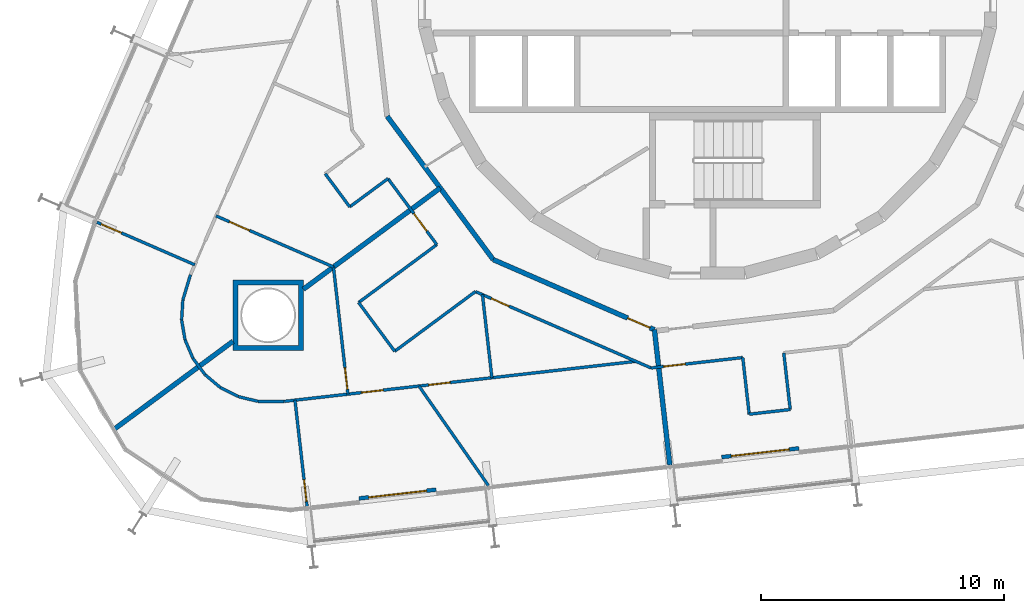
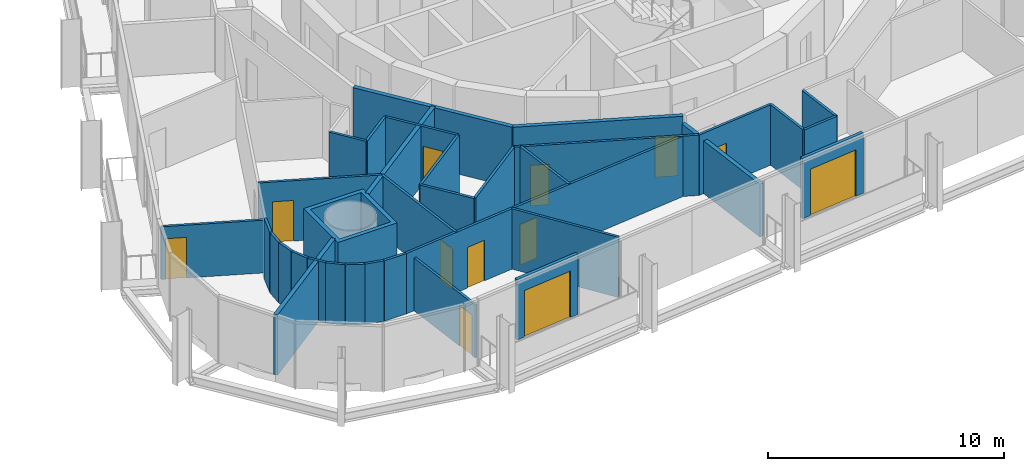
# One storey, part 16 of 24: 35 walls, 12 doors, 12 openings.
"""IFC4 building model written with IfcOpenShell, lengths in metres."""

from ifc_helpers import new_model, si_unit, direction, frame, frame_2d, origin, place, context, subcontext, project, spatial, polyline, rectangle, outline, extrude, material, layer, layer_set, type_object, element, fill, save


model = new_model("IFC4")

# Units and contexts
model_context = context("Model", 3, precision=1e-05, world=origin(), true_north=direction((0.0, 1.0)))
body_context = subcontext(model_context, "Body", "Model", "MODEL_VIEW")
ifc_project = project(units=[si_unit("LENGTHUNIT", "METRE"), si_unit("AREAUNIT", "SQUARE_METRE"), si_unit("VOLUMEUNIT", "CUBIC_METRE"), si_unit("PLANEANGLEUNIT", "RADIAN"), si_unit("MASSUNIT", "GRAM", prefix="KILO")], contexts=[model_context])

# Site, building, storey
site_placement = place(None, origin())
site = spatial("IfcSite", under=ifc_project, at=site_placement, CompositionType="ELEMENT")
building_placement = place(site_placement, origin())
building = spatial("IfcBuilding", under=site, at=building_placement, Name="Spindle Arch Residences", CompositionType="ELEMENT")
storey_placement = place(building_placement, frame((0.0, 0.0, 101.199951171875)))
storey = spatial("IfcBuildingStorey", under=building, at=storey_placement, Name="L24", CompositionType="ELEMENT", Elevation=101.199951171875)

# Wall
ifc_material_1 = material(Name="Calcium silicate block, plastered")
ifc_layer_1 = layer(ifc_material_1, 0.199951171875)
ifc_layer_set_1 = layer_set([ifc_layer_1], Name="Corridor wall 200")
wall_type_1 = type_object("IfcWallType", Name="Corridor wall 200", PredefinedType="STANDARD", material=ifc_layer_set_1)
wall_1_placement = place(storey_placement, frame((-13.1962890625, -5.1982421875, 0.0), z_axis=(0.0, 0.0, 1.0), x_axis=(0.594805187394, -0.803869883159, 0.0)))
element("IfcWall", 1, at=wall_1_placement, inside=storey, type_object=wall_type_1, Name="Corridor wall R2C1-W012", PredefinedType="STANDARD", context=body_context, shape_type="SweptSolid", body=[
    extrude(rectangle(XDim=7.341796875, YDim=0.199951171875, at=frame_2d((3.6708984375, 0.0))), origin(), (0.0, 0.0, 1.0), 3.1201171875),
])

# Wall, opening, door
wall_2_placement = place(storey_placement, frame((-8.829345703125, -11.10009765625, 0.0), z_axis=(0.0, 0.0, 1.0), x_axis=(0.917063622491, -0.398740908742, 0.0)))
wall_2 = element("IfcWall", 2, at=wall_2_placement, inside=storey, type_object=wall_type_1, Name="Corridor wall R2C1-W013", PredefinedType="STANDARD", context=body_context, shape_type="SweptSolid", body=[
    extrude(rectangle(XDim=7.239501953125, YDim=0.199951171875, at=frame_2d((3.61962890625, 0.0))), origin(), (0.0, 0.0, 1.0), 3.1201171875),
])
opening_1_placement = place(wall_2_placement, frame((6.03955078125, 0.0, 0.0)))
opening_1 = element("IfcOpeningElement", 3, at=opening_1_placement, cuts=wall_2, Name="Opening R2C1-FD05", PredefinedType="OPENING", context=body_context, shape_type="SweptSolid", body=[
    extrude(rectangle(XDim=1.0, YDim=2.10009765625, at=frame_2d((0.5, 1.050048828125))), frame((0.0, 0.10986328125, 0.0), z_axis=(0.0, -1.0, 0.0), x_axis=(1.0, 0.0, 0.0)), (0.0, 0.0, 1.0), 0.219970703125),
])
ifc_material_2 = material(Name="Timber, fire-resisting door set", Category="wood")
door_type_1 = type_object("IfcDoorType", Name="Flat entrance door 1000x2100", OperationType="NOTDEFINED", PredefinedType="DOOR", material=ifc_material_2)
door_1_placement = place(opening_1_placement, origin())
door_1 = element("IfcDoor", 4, at=door_1_placement, inside=storey, type_object=door_type_1, Name="Flat entrance door R2C1-FD05", OperationType="SINGLE_SWING_LEFT", OverallHeight=2.10009765625, OverallWidth=1.0, PredefinedType="DOOR", context=body_context, shape_type="SweptSolid", body=[
    extrude(rectangle(XDim=1.0, YDim=2.10009765625, at=frame_2d((0.5, 1.050048828125))), frame((0.0, 0.02490234375, 0.0), z_axis=(0.0, -1.0, 0.0), x_axis=(1.0, 0.0, 0.0)), (0.0, 0.0, 1.0), 0.050048828125),
])
fill(opening_1, door_1)

# Walls
ifc_material_3 = material(Name="Plasterboard on steel studs", Category="steel")
ifc_layer_2 = layer(ifc_material_3, 0.1201171875)
ifc_layer_set_2 = layer_set([ifc_layer_2], Name="Flat partition 120")
wall_type_2 = type_object("IfcWallType", Name="Flat partition 120", PredefinedType="PARTITIONING", material=ifc_layer_set_2)
wall_3_placement = place(storey_placement, frame((-15.75, -7.562255859375, 0.0), z_axis=(0.0, 0.0, 1.0), x_axis=(0.594863421241, -0.803826791087, 0.0)))
element("IfcWall", 5, at=wall_3_placement, inside=storey, type_object=wall_type_2, Name="Flat partition R2C1-W086", PredefinedType="PARTITIONING", context=body_context, shape_type="SweptSolid", body=[
    extrude(rectangle(XDim=1.699951171875, YDim=0.1201171875, at=frame_2d((0.85009765625, 0.0))), origin(), (0.0, 0.0, 1.0), 3.1201171875),
])
wall_4_placement = place(storey_placement, frame((-14.73876953125, -8.9287109375, 0.0), z_axis=(0.0, 0.0, 1.0), x_axis=(0.803901491033, 0.594762467474, 0.0)))
element("IfcWall", 6, at=wall_4_placement, inside=storey, type_object=wall_type_2, Name="Flat partition R2C1-W087", PredefinedType="PARTITIONING", context=body_context, shape_type="SweptSolid", body=[
    extrude(rectangle(XDim=1.958740234375, YDim=0.1201171875, at=frame_2d((0.9794921875, 0.0))), origin(), (0.0, 0.0, 1.0), 3.1201171875),
])

# Wall, opening, door
wall_5_placement = place(storey_placement, frame((-13.1640625, -7.763671875, 0.0), z_axis=(0.0, 0.0, 1.0), x_axis=(0.594837409261, -0.803846040324, 0.0)))
wall_5 = element("IfcWall", 7, at=wall_5_placement, inside=storey, type_object=wall_type_2, Name="Flat partition R2C1-W088", PredefinedType="PARTITIONING", context=body_context, shape_type="SweptSolid", body=[
    extrude(rectangle(XDim=3.3828125, YDim=0.1201171875, at=frame_2d((1.69140625, 0.0))), origin(), (0.0, 0.0, 1.0), 3.1201171875),
])
opening_2_placement = place(wall_5_placement, frame((1.789306640625, 0.0, 0.0)))
opening_2 = element("IfcOpeningElement", 8, at=opening_2_placement, cuts=wall_5, Name="Opening R2C1-ID27", PredefinedType="OPENING", context=body_context, shape_type="SweptSolid", body=[
    extrude(rectangle(XDim=0.89990234375, YDim=2.10009765625, at=frame_2d((0.449951171875, 1.050048828125))), frame((0.0, 0.070068359375, 0.0), z_axis=(0.0, -1.0, 0.0), x_axis=(1.0, 0.0, 0.0)), (0.0, 0.0, 1.0), 0.14013671875),
])
ifc_material_4 = material(Name="Timber door set", Category="wood")
door_type_2 = type_object("IfcDoorType", Name="Room door 900x2100", OperationType="NOTDEFINED", PredefinedType="DOOR", material=ifc_material_4)
door_2_placement = place(opening_2_placement, origin())
door_2 = element("IfcDoor", 9, at=door_2_placement, inside=storey, type_object=door_type_2, Name="Room door R2C1-ID27", OperationType="SINGLE_SWING_LEFT", OverallHeight=2.10009765625, OverallWidth=0.89990234375, PredefinedType="DOOR", context=body_context, shape_type="SweptSolid", body=[
    extrude(rectangle(XDim=0.89990234375, YDim=2.10009765625, at=frame_2d((0.449951171875, 1.050048828125))), frame((0.0, 0.02490234375, 0.0), z_axis=(0.0, -1.0, 0.0), x_axis=(1.0, 0.0, 0.0)), (0.0, 0.0, 1.0), 0.050048828125),
])
fill(opening_2, door_2)

wall_6_placement = place(storey_placement, frame((-20.2451171875, -9.30029296875, 0.0), z_axis=(0.0, 0.0, 1.0), x_axis=(0.91706784774, -0.398731190956, 0.0)))
wall_6 = element("IfcWall", 10, at=wall_6_placement, inside=storey, type_object=wall_type_2, Name="Flat partition R2C1-W093", PredefinedType="PARTITIONING", context=body_context, shape_type="SweptSolid", body=[
    extrude(rectangle(XDim=5.2724609375, YDim=0.1201171875, at=frame_2d((2.63623046875, 0.0))), origin(), (0.0, 0.0, 1.0), 3.1201171875),
])
opening_3_placement = place(wall_6_placement, frame((0.60009765625, 0.0, 0.0)))
opening_3 = element("IfcOpeningElement", 11, at=opening_3_placement, cuts=wall_6, Name="Opening R2C1-ID23", PredefinedType="OPENING", context=body_context, shape_type="SweptSolid", body=[
    extrude(rectangle(XDim=0.89990234375, YDim=2.10009765625, at=frame_2d((0.449951171875, 1.050048828125))), frame((0.0, 0.070068359375, 0.0), z_axis=(0.0, -1.0, 0.0), x_axis=(1.0, 0.0, 0.0)), (0.0, 0.0, 1.0), 0.14013671875),
])
door_3_placement = place(opening_3_placement, origin())
door_3 = element("IfcDoor", 12, at=door_3_placement, inside=storey, type_object=door_type_2, Name="Room door R2C1-ID23", OperationType="SINGLE_SWING_RIGHT", OverallHeight=2.10009765625, OverallWidth=0.89990234375, PredefinedType="DOOR", context=body_context, shape_type="SweptSolid", body=[
    extrude(rectangle(XDim=0.89990234375, YDim=2.10009765625, at=frame_2d((0.449951171875, 1.050048828125))), frame((0.0, 0.02490234375, 0.0), z_axis=(0.0, -1.0, 0.0), x_axis=(1.0, 0.0, 0.0)), (0.0, 0.0, 1.0), 0.050048828125),
])
fill(opening_3, door_3)

# Walls
for number, where, z_axis, x_axis, name in (
    (13, (-20.702880859375, -15.834716796875, 0.0), (0.0, 0.0, 1.0), (-0.594755442796, 0.803906688158, 0.0), "Flat partition R2C1-W094"),
    (14, (-21.19580078125, -15.16845703125, 0.0), (0.0, 0.0, 1.0), (-0.393528213057, 0.919312539634, 0.0), "Flat partition R2C1-W095"),
):
    element("IfcWall", number, at=place(storey_placement, frame(where, z_axis=z_axis, x_axis=x_axis)), inside=storey, type_object=wall_type_2, Name=name, PredefinedType="PARTITIONING", context=body_context, shape_type="SweptSolid", body=[
        extrude(rectangle(XDim=0.828857421875, YDim=0.1201171875, at=frame_2d((0.41455078125, 0.0))), origin(), (0.0, 0.0, 1.0), 3.1201171875),
    ])
wall_7_placement = place(storey_placement, frame((-21.52197265625, -14.406494140625, 0.0), z_axis=(0.0, 0.0, 1.0), x_axis=(-0.170794347099, 0.985306698952, 0.0)))
element("IfcWall", 15, at=wall_7_placement, inside=storey, type_object=wall_type_2, Name="Flat partition R2C1-W096", PredefinedType="PARTITIONING", context=body_context, shape_type="SweptSolid", body=[
    extrude(rectangle(XDim=0.8291015625, YDim=0.1201171875, at=frame_2d((0.41455078125, 0.0))), origin(), (0.0, 0.0, 1.0), 3.1201171875),
])
wall_8_placement = place(storey_placement, frame((-21.66357421875, -13.589599609375, 0.0), z_axis=(0.0, 0.0, 1.0), x_axis=(0.061277779288, 0.998120751095, 0.0)))
element("IfcWall", 16, at=wall_8_placement, inside=storey, type_object=wall_type_2, Name="Flat partition R2C1-W097", PredefinedType="PARTITIONING", context=body_context, shape_type="SweptSolid", body=[
    extrude(rectangle(XDim=0.82861328125, YDim=0.1201171875, at=frame_2d((0.414306640625, 0.0))), origin(), (0.0, 0.0, 1.0), 3.1201171875),
])
wall_9_placement = place(storey_placement, frame((-21.61279296875, -12.762451171875, 0.0), z_axis=(0.0, 0.0, 1.0), x_axis=(0.289552239308, 0.95716221233, 0.0)))
element("IfcWall", 17, at=wall_9_placement, inside=storey, type_object=wall_type_2, Name="Flat partition R2C1-W098", PredefinedType="PARTITIONING", context=body_context, shape_type="SweptSolid", body=[
    extrude(rectangle(XDim=1.0869140625, YDim=0.1201171875, at=frame_2d((0.54345703125, 0.0))), origin(), (0.0, 0.0, 1.0), 3.1201171875),
])
wall_10_placement = place(storey_placement, frame((-11.15185546875, -10.48291015625, 0.0), z_axis=(0.0, 0.0, 1.0), x_axis=(-0.803843064298, -0.594841430954, 0.0)))
element("IfcWall", 18, at=wall_10_placement, inside=storey, type_object=wall_type_2, Name="Flat partition R2C1-W099", PredefinedType="PARTITIONING", context=body_context, shape_type="SweptSolid", body=[
    extrude(rectangle(XDim=4.0078125, YDim=0.1201171875, at=frame_2d((2.00390625, 0.0))), origin(), (0.0, 0.0, 1.0), 3.1201171875),
])
wall_11_placement = place(storey_placement, frame((-14.37353515625, -12.866943359375, 0.0), z_axis=(0.0, 0.0, 1.0), x_axis=(0.594800097121, -0.803873649565, 0.0)))
element("IfcWall", 19, at=wall_11_placement, inside=storey, type_object=wall_type_2, Name="Flat partition R2C1-W100", PredefinedType="PARTITIONING", context=body_context, shape_type="SweptSolid", body=[
    extrude(rectangle(XDim=2.5, YDim=0.1201171875, at=frame_2d((1.25, 0.0))), origin(), (0.0, 0.0, 1.0), 3.1201171875),
])
wall_12_placement = place(storey_placement, frame((-12.886474609375, -14.876708984375, 0.0), z_axis=(0.0, 0.0, 1.0), x_axis=(0.803816491389, 0.594877338761, 0.0)))
element("IfcWall", 20, at=wall_12_placement, inside=storey, type_object=wall_type_2, Name="Flat partition R2C1-W101", PredefinedType="PARTITIONING", context=body_context, shape_type="SweptSolid", body=[
    extrude(rectangle(XDim=4.13525390625, YDim=0.1201171875, at=frame_2d((2.067626953125, 0.0))), origin(), (0.0, 0.0, 1.0), 3.1201171875),
])

# Wall, opening, door
wall_13_placement = place(storey_placement, frame((-9.5625, -12.416748046875, 0.0), z_axis=(0.0, 0.0, 1.0), x_axis=(0.917063169851, -0.398741949767, 0.0)))
wall_13 = element("IfcWall", 21, at=wall_13_placement, inside=storey, type_object=wall_type_2, Name="Flat partition R2C1-W102", PredefinedType="PARTITIONING", context=body_context, shape_type="SweptSolid", body=[
    extrude(rectangle(XDim=7.89111328125, YDim=0.1201171875, at=frame_2d((3.945556640625, 0.0))), origin(), (0.0, 0.0, 1.0), 3.1201171875),
])
opening_4_placement = place(wall_13_placement, frame((0.71484375, 0.0, 0.0)))
opening_4 = element("IfcOpeningElement", 22, at=opening_4_placement, cuts=wall_13, Name="Opening R2C1-BD05", PredefinedType="OPENING", context=body_context, shape_type="SweptSolid", body=[
    extrude(rectangle(XDim=0.800048828125, YDim=2.10009765625, at=frame_2d((0.39990234375, 1.050048828125))), frame((0.0, 0.070068359375, 0.0), z_axis=(0.0, -1.0, 0.0), x_axis=(1.0, 0.0, 0.0)), (0.0, 0.0, 1.0), 0.14013671875),
])
ifc_material_5 = material(Name="Timber door set", Category="wood")
door_type_3 = type_object("IfcDoorType", Name="Bathroom door 800x2100", OperationType="NOTDEFINED", PredefinedType="DOOR", material=ifc_material_5)
door_4_placement = place(opening_4_placement, origin())
door_4 = element("IfcDoor", 23, at=door_4_placement, inside=storey, type_object=door_type_3, Name="Bathroom door R2C1-BD05", OperationType="SINGLE_SWING_LEFT", OverallHeight=2.10009765625, OverallWidth=0.800048828125, PredefinedType="DOOR", context=body_context, shape_type="SweptSolid", body=[
    extrude(rectangle(XDim=0.800048828125, YDim=2.10009765625, at=frame_2d((0.39990234375, 1.050048828125))), frame((0.0, 0.02490234375, 0.0), z_axis=(0.0, -1.0, 0.0), x_axis=(1.0, 0.0, 0.0)), (0.0, 0.0, 1.0), 0.050048828125),
])
fill(opening_4, door_4)

wall_14_placement = place(storey_placement, frame((-2.325927734375, -15.563232421875, 0.0), z_axis=(0.0, 0.0, 1.0), x_axis=(0.993575068384, 0.113175012641, 0.0)))
wall_14 = element("IfcWall", 24, at=wall_14_placement, inside=storey, type_object=wall_type_2, Name="Flat partition R2C1-W103", PredefinedType="PARTITIONING", context=body_context, shape_type="SweptSolid", body=[
    extrude(rectangle(XDim=3.798828125, YDim=0.1201171875, at=frame_2d((1.8994140625, 0.0))), origin(), (0.0, 0.0, 1.0), 3.1201171875),
])
opening_5_placement = place(wall_14_placement, frame((0.513427734375, 0.0, 0.0)))
opening_5 = element("IfcOpeningElement", 25, at=opening_5_placement, cuts=wall_14, Name="Opening R2C1-ID32", PredefinedType="OPENING", context=body_context, shape_type="SweptSolid", body=[
    extrude(rectangle(XDim=0.89990234375, YDim=2.10009765625, at=frame_2d((0.449951171875, 1.050048828125))), frame((0.0, 0.070068359375, 0.0), z_axis=(0.0, -1.0, 0.0), x_axis=(1.0, 0.0, 0.0)), (0.0, 0.0, 1.0), 0.14013671875),
])
door_5_placement = place(opening_5_placement, origin())
door_5 = element("IfcDoor", 26, at=door_5_placement, inside=storey, type_object=door_type_2, Name="Room door R2C1-ID32", OperationType="SINGLE_SWING_LEFT", OverallHeight=2.10009765625, OverallWidth=0.89990234375, PredefinedType="DOOR", context=body_context, shape_type="SweptSolid", body=[
    extrude(rectangle(XDim=0.89990234375, YDim=2.10009765625, at=frame_2d((0.449951171875, 1.050048828125))), frame((0.0, 0.02490234375, 0.0), z_axis=(0.0, -1.0, 0.0), x_axis=(1.0, 0.0, 0.0)), (0.0, 0.0, 1.0), 0.050048828125),
])
fill(opening_5, door_5)

# Walls
for number, where, z_axis, x_axis, name in (
    (27, (-20.702880859375, -15.834716796875, 0.0), (0.0, 0.0, 1.0), (0.764223440539, -0.644951574097, 0.0), "Flat partition R2C1-W104"),
    (28, (-20.0693359375, -16.369384765625, 0.0), (0.0, 0.0, 1.0), (0.89229682893, -0.451449187706, 0.0), "Flat partition R2C1-W105"),
):
    element("IfcWall", number, at=place(storey_placement, frame(where, z_axis=z_axis, x_axis=x_axis)), inside=storey, type_object=wall_type_2, Name=name, PredefinedType="PARTITIONING", context=body_context, shape_type="SweptSolid", body=[
        extrude(rectangle(XDim=0.8291015625, YDim=0.1201171875, at=frame_2d((0.41455078125, 0.0))), origin(), (0.0, 0.0, 1.0), 3.1201171875),
    ])
wall_15_placement = place(storey_placement, frame((-19.32958984375, -16.74365234375, 0.0), z_axis=(0.0, 0.0, 1.0), x_axis=(0.972403343288, -0.23330610357, 0.0)))
element("IfcWall", 29, at=wall_15_placement, inside=storey, type_object=wall_type_2, Name="Flat partition R2C1-W106", PredefinedType="PARTITIONING", context=body_context, shape_type="SweptSolid", body=[
    extrude(rectangle(XDim=0.828857421875, YDim=0.1201171875, at=frame_2d((0.41455078125, 0.0))), origin(), (0.0, 0.0, 1.0), 3.1201171875),
])
wall_16_placement = place(storey_placement, frame((-18.523681640625, -16.93701171875, 0.0), z_axis=(0.0, 0.0, 1.0), x_axis=(0.999995736722, -0.00292002349, 0.0)))
element("IfcWall", 30, at=wall_16_placement, inside=storey, type_object=wall_type_2, Name="Flat partition R2C1-W107", PredefinedType="PARTITIONING", context=body_context, shape_type="SweptSolid", body=[
    extrude(rectangle(XDim=1.0869140625, YDim=0.1201171875, at=frame_2d((0.54345703125, 0.0))), origin(), (0.0, 0.0, 1.0), 3.1201171875),
])

# Wall, openings, doors
wall_17_placement = place(storey_placement, frame((-17.436767578125, -16.940185546875, 0.0), z_axis=(0.0, 0.0, 1.0), x_axis=(0.993573314119, 0.113190412448, 0.0)))
wall_17 = element("IfcWall", 31, at=wall_17_placement, inside=storey, type_object=wall_type_2, Name="Flat partition R2C1-W108", PredefinedType="PARTITIONING", context=body_context, shape_type="SweptSolid", body=[
    extrude(rectangle(XDim=14.576416015625, YDim=0.1201171875, at=frame_2d((7.2880859375, 0.0))), origin(), (0.0, 0.0, 1.0), 3.1201171875),
])
opening_6_placement = place(wall_17_placement, frame((3.20068359375, 0.0, 0.0)))
opening_6 = element("IfcOpeningElement", 32, at=opening_6_placement, cuts=wall_17, Name="Opening R2C1-ID29", PredefinedType="OPENING", context=body_context, shape_type="SweptSolid", body=[
    extrude(rectangle(XDim=0.89990234375, YDim=2.10009765625, at=frame_2d((0.449951171875, 1.050048828125))), frame((0.0, 0.070068359375, 0.0), z_axis=(0.0, -1.0, 0.0), x_axis=(1.0, 0.0, 0.0)), (0.0, 0.0, 1.0), 0.14013671875),
])
opening_7_placement = place(wall_17_placement, frame((5.98486328125, 0.0, 0.0)))
opening_7 = element("IfcOpeningElement", 33, at=opening_7_placement, cuts=wall_17, Name="Opening R2C1-ID30", PredefinedType="OPENING", context=body_context, shape_type="SweptSolid", body=[
    extrude(rectangle(XDim=0.89990234375, YDim=2.10009765625, at=frame_2d((0.449951171875, 1.050048828125))), frame((0.0, 0.070068359375, 0.0), z_axis=(0.0, -1.0, 0.0), x_axis=(1.0, 0.0, 0.0)), (0.0, 0.0, 1.0), 0.14013671875),
])
door_6_placement = place(opening_6_placement, origin())
door_6 = element("IfcDoor", 34, at=door_6_placement, inside=storey, type_object=door_type_2, Name="Room door R2C1-ID29", OperationType="SINGLE_SWING_LEFT", OverallHeight=2.10009765625, OverallWidth=0.89990234375, PredefinedType="DOOR", context=body_context, shape_type="SweptSolid", body=[
    extrude(rectangle(XDim=0.89990234375, YDim=2.10009765625, at=frame_2d((0.449951171875, 1.050048828125))), frame((0.0, 0.02490234375, 0.0), z_axis=(0.0, -1.0, 0.0), x_axis=(1.0, 0.0, 0.0)), (0.0, 0.0, 1.0), 0.050048828125),
])
fill(opening_6, door_6)
door_7_placement = place(opening_7_placement, origin())
door_7 = element("IfcDoor", 35, at=door_7_placement, inside=storey, type_object=door_type_2, Name="Room door R2C1-ID30", OperationType="SINGLE_SWING_LEFT", OverallHeight=2.10009765625, OverallWidth=0.89990234375, PredefinedType="DOOR", context=body_context, shape_type="SweptSolid", body=[
    extrude(rectangle(XDim=0.89990234375, YDim=2.10009765625, at=frame_2d((0.449951171875, 1.050048828125))), frame((0.0, 0.02490234375, 0.0), z_axis=(0.0, -1.0, 0.0), x_axis=(1.0, 0.0, 0.0)), (0.0, 0.0, 1.0), 0.050048828125),
])
fill(opening_7, door_7)

# Wall, opening, door
wall_18_placement = place(storey_placement, frame((-14.81298828125, -16.641357421875, 0.0), z_axis=(0.0, 0.0, 1.0), x_axis=(-0.113210971478, 0.993570971767, 0.0)))
wall_18 = element("IfcWall", 36, at=wall_18_placement, inside=storey, type_object=wall_type_2, Name="Flat partition R2C1-W109", PredefinedType="PARTITIONING", context=body_context, shape_type="SweptSolid", body=[
    extrude(rectangle(XDim=5.272705078125, YDim=0.1201171875, at=frame_2d((2.63623046875, 0.0))), origin(), (0.0, 0.0, 1.0), 3.1201171875),
])
opening_8_placement = place(wall_18_placement, frame((0.199951171875, 0.0, 0.0)))
opening_8 = element("IfcOpeningElement", 37, at=opening_8_placement, cuts=wall_18, Name="Opening R2C1-ID28", PredefinedType="OPENING", context=body_context, shape_type="SweptSolid", body=[
    extrude(rectangle(XDim=0.89990234375, YDim=2.10009765625, at=frame_2d((0.449951171875, 1.050048828125))), frame((0.0, 0.070068359375, 0.0), z_axis=(0.0, -1.0, 0.0), x_axis=(1.0, 0.0, 0.0)), (0.0, 0.0, 1.0), 0.14013671875),
])
door_8_placement = place(opening_8_placement, origin())
door_8 = element("IfcDoor", 38, at=door_8_placement, inside=storey, type_object=door_type_2, Name="Room door R2C1-ID28", OperationType="SINGLE_SWING_LEFT", OverallHeight=2.10009765625, OverallWidth=0.89990234375, PredefinedType="DOOR", context=body_context, shape_type="SweptSolid", body=[
    extrude(rectangle(XDim=0.89990234375, YDim=2.10009765625, at=frame_2d((0.449951171875, 1.050048828125))), frame((0.0, 0.02490234375, 0.0), z_axis=(0.0, -1.0, 0.0), x_axis=(1.0, 0.0, 0.0)), (0.0, 0.0, 1.0), 0.050048828125),
])
fill(opening_8, door_8)

# Walls
wall_19_placement = place(storey_placement, frame((-8.883544921875, -15.9658203125, 0.0), z_axis=(0.0, 0.0, 1.0), x_axis=(-0.113230836929, 0.993568708026, 0.0)))
element("IfcWall", 39, at=wall_19_placement, inside=storey, type_object=wall_type_2, Name="Flat partition R2C1-W111", PredefinedType="PARTITIONING", context=body_context, shape_type="SweptSolid", body=[
    extrude(rectangle(XDim=3.445556640625, YDim=0.1201171875, at=frame_2d((1.72265625, 0.0))), origin(), (0.0, 0.0, 1.0), 3.1201171875),
])
wall_20_placement = place(storey_placement, frame((-9.025634765625, -20.410400390625, 0.0), z_axis=(0.0, 0.0, 1.0), x_axis=(-0.57218083256, 0.82012748695, 0.0)))
element("IfcWall", 40, at=wall_20_placement, inside=storey, type_object=wall_type_2, Name="Flat partition R2C1-W112", PredefinedType="PARTITIONING", context=body_context, shape_type="SweptSolid", body=[
    extrude(rectangle(XDim=5.001953125, YDim=0.1201171875, at=frame_2d((2.5009765625, 0.0))), origin(), (0.0, 0.0, 1.0), 3.1201171875),
])
wall_21_placement = place(storey_placement, frame((1.448486328125, -15.13330078125, 0.0), z_axis=(0.0, 0.0, 1.0), x_axis=(0.113180189053, -0.993574478741, 0.0)))
element("IfcWall", 41, at=wall_21_placement, inside=storey, type_object=wall_type_2, Name="Flat partition R2C1-W113", PredefinedType="PARTITIONING", context=body_context, shape_type="SweptSolid", body=[
    extrude(rectangle(XDim=2.34912109375, YDim=0.1201171875, at=frame_2d((1.174560546875, 0.0))), origin(), (0.0, 0.0, 1.0), 3.1201171875),
])
wall_22_placement = place(storey_placement, frame((1.71435546875, -17.46728515625, 0.0), z_axis=(0.0, 0.0, 1.0), x_axis=(0.993577030812, 0.113157782957, 0.0)))
element("IfcWall", 42, at=wall_22_placement, inside=storey, type_object=wall_type_2, Name="Flat partition R2C1-W114", PredefinedType="PARTITIONING", context=body_context, shape_type="SweptSolid", body=[
    extrude(rectangle(XDim=1.7001953125, YDim=0.1201171875, at=frame_2d((0.85009765625, 0.0))), origin(), (0.0, 0.0, 1.0), 3.1201171875),
])
wall_23_placement = place(storey_placement, frame((3.403564453125, -17.27490234375, 0.0), z_axis=(0.0, 0.0, 1.0), x_axis=(-0.113180189053, 0.993574478741, 0.0)))
element("IfcWall", 43, at=wall_23_placement, inside=storey, type_object=wall_type_2, Name="Flat partition R2C1-W115", PredefinedType="PARTITIONING", context=body_context, shape_type="SweptSolid", body=[
    extrude(rectangle(XDim=2.34912109375, YDim=0.1201171875, at=frame_2d((1.174560546875, 0.0))), origin(), (0.0, 0.0, 1.0), 3.1201171875),
])

# Wall, opening, door
ifc_material_6 = material(Name="Plasterboard on steel studs", Category="steel")
ifc_layer_3 = layer(ifc_material_6, 0.1201171875)
ifc_layer_set_3 = layer_set([ifc_layer_3], Name="Flat partition 120 under beam 2730")
wall_type_3 = type_object("IfcWallType", Name="Flat partition 120 under beam 2730", PredefinedType="PARTITIONING", material=ifc_layer_set_3)
wall_24_placement = place(storey_placement, frame((-25.155517578125, -9.55908203125, 0.0), z_axis=(0.0, 0.0, 1.0), x_axis=(0.917042707292, -0.398789008127, 0.0)))
wall_24 = element("IfcWall", 44, at=wall_24_placement, inside=storey, type_object=wall_type_3, Name="Flat partition R2C1-W092", PredefinedType="PARTITIONING", context=body_context, shape_type="SweptSolid", body=[
    extrude(rectangle(XDim=4.39990234375, YDim=0.1201171875, at=frame_2d((2.199951171875, 0.0))), origin(), (0.0, 0.0, 1.0), 2.72998046875),
])
opening_9_placement = place(wall_24_placement, frame((0.199951171875, 0.0, 0.0)))
opening_9 = element("IfcOpeningElement", 45, at=opening_9_placement, cuts=wall_24, Name="Opening R2C1-ID25", PredefinedType="OPENING", context=body_context, shape_type="SweptSolid", body=[
    extrude(rectangle(XDim=0.89990234375, YDim=2.10009765625, at=frame_2d((0.449951171875, 1.050048828125))), frame((0.0, 0.070068359375, 0.0), z_axis=(0.0, -1.0, 0.0), x_axis=(1.0, 0.0, 0.0)), (0.0, 0.0, 1.0), 0.14013671875),
])
door_9_placement = place(opening_9_placement, origin())
door_9 = element("IfcDoor", 46, at=door_9_placement, inside=storey, type_object=door_type_2, Name="Room door R2C1-ID25", OperationType="SINGLE_SWING_RIGHT", OverallHeight=2.10009765625, OverallWidth=0.89990234375, PredefinedType="DOOR", context=body_context, shape_type="SweptSolid", body=[
    extrude(rectangle(XDim=0.89990234375, YDim=2.10009765625, at=frame_2d((0.449951171875, 1.050048828125))), frame((0.0, 0.02490234375, 0.0), z_axis=(0.0, -1.0, 0.0), x_axis=(1.0, 0.0, 0.0)), (0.0, 0.0, 1.0), 0.050048828125),
])
fill(opening_9, door_9)

wall_25_placement = place(storey_placement, frame((-16.49609375, -21.26171875, 0.0), z_axis=(0.0, 0.0, 1.0), x_axis=(-0.1132445713, 0.993567142709, 0.0)))
wall_25 = element("IfcWall", 47, at=wall_25_placement, inside=storey, type_object=wall_type_3, Name="Flat partition R2C1-W110", PredefinedType="PARTITIONING", context=body_context, shape_type="SweptSolid", body=[
    extrude(rectangle(XDim=4.400146484375, YDim=0.1201171875, at=frame_2d((2.2001953125, 0.0))), origin(), (0.0, 0.0, 1.0), 2.72998046875),
])
opening_10_placement = place(wall_25_placement, frame((0.199951171875, 0.0, 0.0)))
opening_10 = element("IfcOpeningElement", 48, at=opening_10_placement, cuts=wall_25, Name="Opening R2C1-ID31", PredefinedType="OPENING", context=body_context, shape_type="SweptSolid", body=[
    extrude(rectangle(XDim=0.89990234375, YDim=2.10009765625, at=frame_2d((0.449951171875, 1.050048828125))), frame((0.0, 0.070068359375, 0.0), z_axis=(0.0, -1.0, 0.0), x_axis=(1.0, 0.0, 0.0)), (0.0, 0.0, 1.0), 0.14013671875),
])
door_10_placement = place(opening_10_placement, origin())
door_10 = element("IfcDoor", 49, at=door_10_placement, inside=storey, type_object=door_type_2, Name="Room door R2C1-ID31", OperationType="SINGLE_SWING_LEFT", OverallHeight=2.10009765625, OverallWidth=0.89990234375, PredefinedType="DOOR", context=body_context, shape_type="SweptSolid", body=[
    extrude(rectangle(XDim=0.89990234375, YDim=2.10009765625, at=frame_2d((0.449951171875, 1.050048828125))), frame((0.0, 0.02490234375, 0.0), z_axis=(0.0, -1.0, 0.0), x_axis=(1.0, 0.0, 0.0)), (0.0, 0.0, 1.0), 0.050048828125),
])
fill(opening_10, door_10)

# Walls
ifc_material_7 = material(Name="Calcium silicate block, plastered")
ifc_layer_4 = layer(ifc_material_7, 0.199951171875)
ifc_layer_set_4 = layer_set([ifc_layer_4], Name="Flat party wall 200")
wall_type_4 = type_object("IfcWallType", Name="Flat party wall 200", PredefinedType="STANDARD", material=ifc_layer_set_4)
wall_26_placement = place(storey_placement, frame((-16.64892578125, -12.319580078125, 0.0), z_axis=(0.0, 0.0, 1.0), x_axis=(0.803869204071, 0.594806105169, 0.0)))
element("IfcWall", 50, at=wall_26_placement, inside=storey, type_object=wall_type_4, Name="Flat party wall R2C1-W026", PredefinedType="STANDARD", context=body_context, shape_type="SweptSolid", body=[
    extrude(rectangle(XDim=7.011474609375, YDim=0.199951171875, at=frame_2d((3.505859375, 0.0))), origin(), (0.0, 0.0, 1.0), 3.1201171875),
])
wall_27_placement = place(storey_placement, frame((-24.486083984375, -18.118896484375, 0.0), z_axis=(0.0, 0.0, 1.0), x_axis=(0.80384227933, 0.594842491726, 0.0)))
element("IfcWall", 51, at=wall_27_placement, inside=storey, type_object=wall_type_4, Name="Flat party wall R2C1-W027", PredefinedType="STANDARD", context=body_context, shape_type="SweptSolid", body=[
    extrude(rectangle(XDim=6.14208984375, YDim=0.199951171875, at=frame_2d((3.071044921875, 0.0))), origin(), (0.0, 0.0, 1.0), 3.1201171875),
])
ifc_material_8 = material(Name="Calcium silicate block, plastered")
ifc_layer_5 = layer(ifc_material_8, 0.199951171875)
ifc_layer_set_5 = layer_set([ifc_layer_5], Name="Flat party wall 200 under beam 2730")
wall_type_5 = type_object("IfcWallType", Name="Flat party wall 200 under beam 2730", PredefinedType="STANDARD", material=ifc_layer_set_5)
wall_28_placement = place(storey_placement, frame((-1.55517578125, -19.559326171875, 0.0), z_axis=(0.0, 0.0, 1.0), x_axis=(-0.113221250863, 0.993569800443, 0.0)))
element("IfcWall", 52, at=wall_28_placement, inside=storey, type_object=wall_type_5, Name="Flat party wall R2C1-W028", PredefinedType="STANDARD", context=body_context, shape_type="SweptSolid", body=[
    extrude(rectangle(XDim=5.608642578125, YDim=0.199951171875, at=frame_2d((2.80419921875, 0.0))), origin(), (0.0, 0.0, 1.0), 2.72998046875),
])

# Wall, opening, door
ifc_material_9 = material(Name="Non-combustible mineral wool insulated aluminium faced external wall (K0)", Category="aluminium")
ifc_layer_6 = layer(ifc_material_9, 0.159912109375)
ifc_layer_set_6 = layer_set([ifc_layer_6], Name="Insulated external wall panel 160")
wall_type_6 = type_object("IfcWallType", Name="Insulated external wall panel 160", PredefinedType="STANDARD", material=ifc_layer_set_6)
wall_29_placement = place(storey_placement, frame((-14.359619140625, -20.937744140625, 0.0), z_axis=(0.0, 0.0, 1.0), x_axis=(0.993569019005, 0.11322810814, 0.0)))
wall_29 = element("IfcWall", 53, at=wall_29_placement, inside=storey, type_object=wall_type_6, Name="External wall L24 bay 22", PredefinedType="STANDARD", context=body_context, shape_type="SweptSolid", body=[
    extrude(rectangle(XDim=3.19970703125, YDim=0.159912109375, at=frame_2d((1.599853515625, 0.0))), origin(), (0.0, 0.0, 1.0), 3.1201171875),
])
opening_11_placement = place(wall_29_placement, frame((0.39990234375, 0.0, 0.0)))
opening_11 = element("IfcOpeningElement", 54, at=opening_11_placement, cuts=wall_29, Name="Opening BD22", PredefinedType="OPENING", context=body_context, shape_type="SweptSolid", body=[
    extrude(rectangle(XDim=2.39990234375, YDim=2.39990234375, at=frame_2d((1.199951171875, 1.199951171875))), frame((0.0, 0.08984375, 0.0), z_axis=(0.0, -1.0, 0.0), x_axis=(1.0, 0.0, 0.0)), (0.0, 0.0, 1.0), 0.179931640625),
])
ifc_material_10 = material(Name="Bronze aluminium frame, tinted double glazing", Category="aluminium")
door_type_4 = type_object("IfcDoorType", Name="Sliding glazed balcony door 2400x2400", OperationType="DOUBLE_DOOR_SLIDING", PredefinedType="DOOR", material=ifc_material_10)
door_11_placement = place(opening_11_placement, origin())
door_11 = element("IfcDoor", 55, at=door_11_placement, inside=storey, type_object=door_type_4, Name="Balcony door BD22", OperationType="DOUBLE_DOOR_SLIDING", OverallHeight=2.39990234375, OverallWidth=2.39990234375, PredefinedType="DOOR", context=body_context, shape_type="SweptSolid", body=[
    extrude(rectangle(XDim=2.39990234375, YDim=2.39990234375, at=frame_2d((1.199951171875, 1.199951171875))), frame((0.0, 0.02490234375, 0.0), z_axis=(0.0, -1.0, 0.0), x_axis=(1.0, 0.0, 0.0)), (0.0, 0.0, 1.0), 0.050048828125),
])
fill(opening_11, door_11)

wall_30_placement = place(storey_placement, frame((0.581298828125, -19.2353515625, 0.0), z_axis=(0.0, 0.0, 1.0), x_axis=(0.993569997097, 0.113219525124, 0.0)))
wall_30 = element("IfcWall", 56, at=wall_30_placement, inside=storey, type_object=wall_type_6, Name="External wall L24 bay 24", PredefinedType="STANDARD", context=body_context, shape_type="SweptSolid", body=[
    extrude(rectangle(XDim=3.199951171875, YDim=0.159912109375, at=frame_2d((1.60009765625, 0.0))), origin(), (0.0, 0.0, 1.0), 3.1201171875),
])
opening_12_placement = place(wall_30_placement, frame((0.39990234375, 0.0, 0.0)))
opening_12 = element("IfcOpeningElement", 57, at=opening_12_placement, cuts=wall_30, Name="Opening BD24", PredefinedType="OPENING", context=body_context, shape_type="SweptSolid", body=[
    extrude(rectangle(XDim=2.39990234375, YDim=2.39990234375, at=frame_2d((1.199951171875, 1.199951171875))), frame((0.0, 0.08984375, 0.0), z_axis=(0.0, -1.0, 0.0), x_axis=(1.0, 0.0, 0.0)), (0.0, 0.0, 1.0), 0.179931640625),
])
door_12_placement = place(opening_12_placement, origin())
door_12 = element("IfcDoor", 58, at=door_12_placement, inside=storey, type_object=door_type_4, Name="Balcony door BD24", OperationType="DOUBLE_DOOR_SLIDING", OverallHeight=2.39990234375, OverallWidth=2.39990234375, PredefinedType="DOOR", context=body_context, shape_type="SweptSolid", body=[
    extrude(rectangle(XDim=2.39990234375, YDim=2.39990234375, at=frame_2d((1.199951171875, 1.199951171875))), frame((0.0, 0.02490234375, 0.0), z_axis=(0.0, -1.0, 0.0), x_axis=(1.0, 0.0, 0.0)), (0.0, 0.0, 1.0), 0.050048828125),
])
fill(opening_12, door_12)

# Wall
ifc_material_11 = material(Name="Calcium silicate block, plastered")
ifc_layer_7 = layer(ifc_material_11, 0.199951171875)
ifc_layer_set_7 = layer_set([ifc_layer_7], Name="Mega-column casing wall 200")
wall_type_7 = type_object("IfcWallType", Name="Mega-column casing wall 200", PredefinedType="STANDARD", material=ifc_layer_set_7)
wall_31_placement = place(storey_placement, origin())
element("IfcWall", 59, at=wall_31_placement, inside=storey, type_object=wall_type_7, Name="Mega-column casing wall R2C1-WC02", PredefinedType="STANDARD", context=body_context, shape_type="SweptSolid", body=[
    extrude(outline(polyline([(-16.64892578125, -11.9423828125), (-16.64892578125, -14.842529296875), (-19.548828125, -14.842529296875), (-19.548828125, -11.9423828125), (-16.64892578125, -11.9423828125)]), holes=[polyline([(-19.348876953125, -14.642578125), (-16.848876953125, -14.642578125), (-16.848876953125, -12.142578125), (-19.348876953125, -12.142578125), (-19.348876953125, -14.642578125)])]), origin(), (0.0, 0.0, 1.0), 3.1201171875),
])

save(model, "model.ifc")
